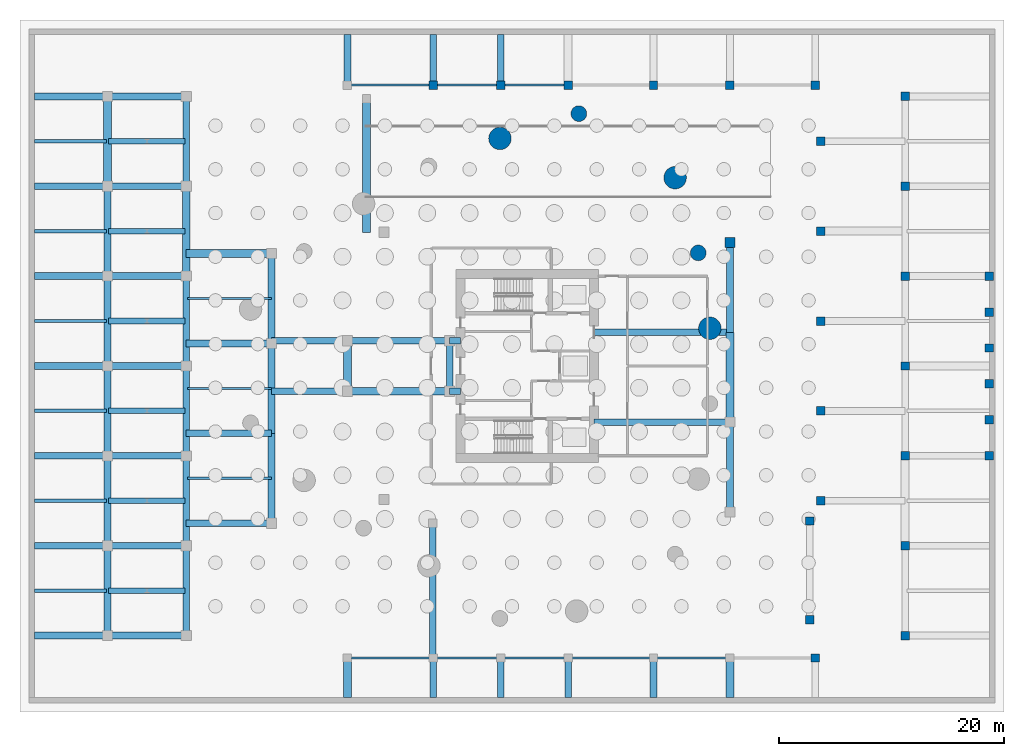
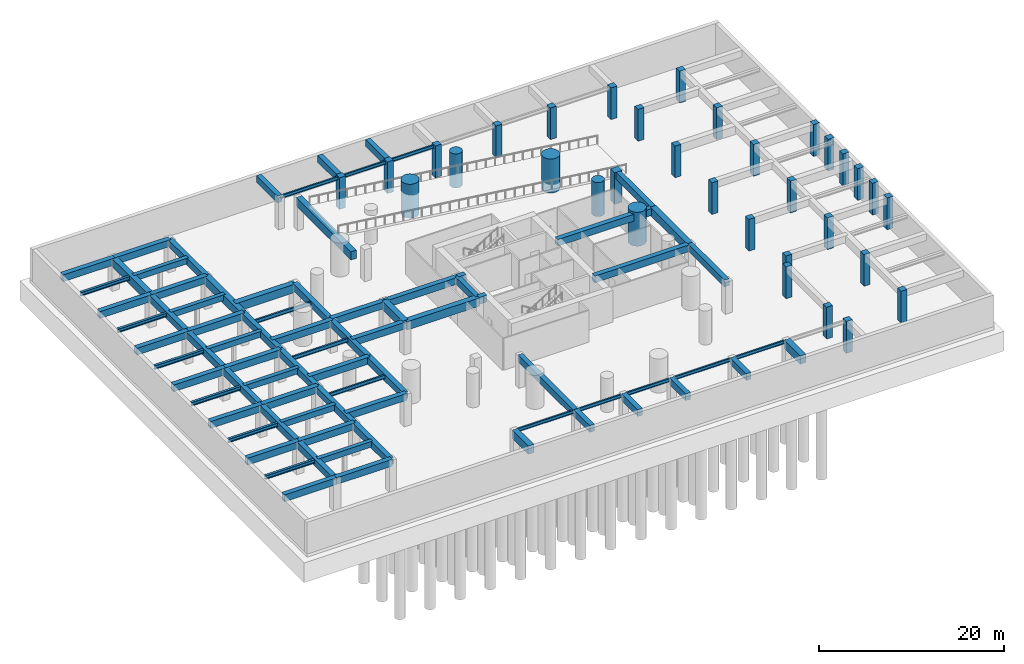
# One storey, part 5 of 11: 80 beams, 33 columns.
"""IFC4 building model written with IfcOpenShell, lengths in metres."""

from ifc_helpers import new_model, si_unit, direction, frame, origin, origin_2d, place, context, subcontext, project, spatial, rectangle, circle, i_section, extrude, source, transform, mapped, material, material_profile, profile_set, type_object, element, save


model = new_model("IFC4")

# Units and contexts
model_context = context("Model", 3, precision=1e-05, world=origin(), true_north=direction((0.0, 1.0)))
body_context = subcontext(model_context, "Body", "Model", "MODEL_VIEW")
ifc_project = project(units=[si_unit("LENGTHUNIT", "METRE"), si_unit("AREAUNIT", "SQUARE_METRE"), si_unit("VOLUMEUNIT", "CUBIC_METRE"), si_unit("PLANEANGLEUNIT", "RADIAN"), si_unit("MASSUNIT", "GRAM", prefix="KILO")], contexts=[model_context])

# Site, building, storey
site_placement = place(None, origin())
site = spatial("IfcSite", under=ifc_project, at=site_placement, CompositionType="ELEMENT")
building_placement = place(site_placement, origin())
building = spatial("IfcBuilding", under=site, at=building_placement, Name="Qafzar Sky-Pleat Residences", CompositionType="ELEMENT")
storey_placement = place(building_placement, frame((0.0, 0.0, -8.699951171875)))
storey = spatial("IfcBuildingStorey", under=building, at=storey_placement, Name="B02", CompositionType="ELEMENT", Elevation=-8.699951171875)

# Columns
ifc_material_1 = material(Name="Concrete C60/75", Category="concrete")
ifc_material_profile_1 = material_profile(ifc_material_1, circle(Radius=1.0, at=origin_2d()), Name="RC D2000")
ifc_profile_set_1 = profile_set([ifc_material_profile_1], Name="Concrete C60/75")
column_type_1 = type_object("IfcColumnType", Name="COL-STILT-D2000", PredefinedType="COLUMN", material=ifc_profile_set_1)
shared_shape_1 = source(origin(), body_context, "Body", "SweptSolid", [
    extrude(circle(Radius=1.0, at=origin_2d()), origin(), (0.0, 0.0, 1.0), 4.494873046875),
])
for number, where, z_axis, x_axis, name in (
    (1, (46.610107421875, 29.357421875, 0.0), (0.0, 0.0, 1.0), (1.0, 0.0, 0.0), "B02 Mega-Column STILT-06"),
    (2, (43.522216796875, 42.759765625, 0.0), (0.0, 0.0, 1.0), (1.0, 0.0, 0.0), "B02 Mega-Column STILT-07"),
    (3, (27.928466796875, 46.256103515625, 0.0), (0.0, 0.0, 1.0), (1.0, 0.0, 0.0), "B02 Mega-Column STILT-08"),
):
    element("IfcColumn", number, at=place(storey_placement, frame(where, z_axis=z_axis, x_axis=x_axis)), inside=storey, type_object=column_type_1, Name=name, PredefinedType="COLUMN", context=body_context, shape_type="MappedRepresentation", body=[
        mapped(shared_shape_1, transform((0.0, 0.0, 0.0), x_axis=(1.0, 0.0, 0.0), y_axis=(0.0, 1.0, 0.0), z_axis=(0.0, 0.0, 1.0), scale=1.0)),
    ])
ifc_material_profile_2 = material_profile(ifc_material_1, circle(Radius=0.699951171875, at=origin_2d()), Name="RC D1400")
ifc_profile_set_2 = profile_set([ifc_material_profile_2], Name="Concrete C60/75")
column_type_2 = type_object("IfcColumnType", Name="COL-MEGA-D1400", PredefinedType="COLUMN", material=ifc_profile_set_2)
shared_shape_2 = source(origin(), body_context, "Body", "SweptSolid", [
    extrude(circle(Radius=0.699951171875, at=origin_2d()), origin(), (0.0, 0.0, 1.0), 4.494873046875),
])
for number, where, z_axis, x_axis, name in (
    (4, (45.578125, 36.06591796875, 0.0), (0.0, 0.0, 1.0), (1.0, 0.0, 0.0), "B02 Branch Mega-Column STILT-BR-06"),
    (5, (34.951416015625, 48.462646484375, 0.0), (0.0, 0.0, 1.0), (1.0, 0.0, 0.0), "B02 Branch Mega-Column STILT-BR-07"),
):
    element("IfcColumn", number, at=place(storey_placement, frame(where, z_axis=z_axis, x_axis=x_axis)), inside=storey, type_object=column_type_2, Name=name, PredefinedType="COLUMN", context=body_context, shape_type="MappedRepresentation", body=[
        mapped(shared_shape_2, transform((0.0, 0.0, 0.0), x_axis=(1.0, 0.0, 0.0), y_axis=(0.0, 1.0, 0.0), z_axis=(0.0, 0.0, 1.0), scale=1.0)),
    ])
ifc_material_profile_3 = material_profile(ifc_material_1, rectangle(XDim=0.89990234375, YDim=0.89990234375, at=origin_2d()), Name="RC 900x900")
ifc_profile_set_3 = profile_set([ifc_material_profile_3], Name="Concrete C60/75")
column_type_3 = type_object("IfcColumnType", Name="COL-RC-900", PredefinedType="COLUMN", material=ifc_profile_set_3)
shared_shape_3 = source(origin(), body_context, "Body", "SweptSolid", [
    extrude(rectangle(XDim=0.89990234375, YDim=0.89990234375, at=origin_2d()), origin(), (0.0, 0.0, 1.0), 4.199951171875),
])
column_placement = place(storey_placement, frame((48.39990234375, 37.0, 0.0), z_axis=(0.0, 0.0, 1.0), x_axis=(1.0, 0.0, 0.0)))
element("IfcColumn", 6, at=column_placement, inside=storey, type_object=column_type_3, Name="B02 Substructure Column 20", PredefinedType="COLUMN", context=body_context, shape_type="MappedRepresentation", body=[
    mapped(shared_shape_3, transform((0.0, 0.0, 0.0), x_axis=(1.0, 0.0, 0.0), y_axis=(0.0, 1.0, 0.0), z_axis=(0.0, 0.0, 1.0), scale=1.0)),
])
ifc_material_profile_4 = material_profile(ifc_material_1, rectangle(XDim=0.75, YDim=0.75, at=origin_2d()), Name="RC 750x750")
ifc_profile_set_4 = profile_set([ifc_material_profile_4], Name="Concrete C60/75")
column_type_4 = type_object("IfcColumnType", Name="COL-RC-750", PredefinedType="COLUMN", material=ifc_profile_set_4)
shared_shape_4 = source(origin(), body_context, "Body", "SweptSolid", [
    extrude(rectangle(XDim=0.75, YDim=0.75, at=origin_2d()), origin(), (0.0, 0.0, 1.0), 4.199951171875),
])
for number, where, z_axis, x_axis, name in (
    (7, (56.0, 0.0, 0.0), (0.0, 0.0, 1.0), (1.0, 0.0, 0.0), "B02 Substructure Column 35"),
    (8, (22.0, 51.0, 0.0), (0.0, 0.0, 1.0), (1.0, 0.0, 0.0), "B02 Substructure Column 37"),
    (9, (28.0, 51.0, 0.0), (0.0, 0.0, 1.0), (1.0, 0.0, 0.0), "B02 Substructure Column 38"),
    (10, (34.0, 51.0, 0.0), (0.0, 0.0, 1.0), (1.0, 0.0, 0.0), "B02 Substructure Column 39"),
    (11, (41.60009765625, 51.0, 0.0), (0.0, 0.0, 1.0), (1.0, 0.0, 0.0), "B02 Substructure Column 40"),
    (12, (48.39990234375, 51.0, 0.0), (0.0, 0.0, 1.0), (1.0, 0.0, 0.0), "B02 Substructure Column 41"),
    (13, (56.0, 51.0, 0.0), (0.0, 0.0, 1.0), (1.0, 0.0, 0.0), "B02 Substructure Column 42"),
    (14, (55.5, 3.39990234375, 0.0), (0.0, 0.0, 1.0), (1.0, 0.0, 0.0), "B02 Substructure Column 43"),
    (15, (55.5, 12.199951171875, 0.0), (0.0, 0.0, 1.0), (1.0, 0.0, 0.0), "B02 Substructure Column 44"),
    (16, (56.5, 14.0, 0.0), (0.0, 0.0, 1.0), (1.0, 0.0, 0.0), "B02 Substructure Column 45"),
    (17, (56.5, 22.0, 0.0), (0.0, 0.0, 1.0), (1.0, 0.0, 0.0), "B02 Substructure Column 46"),
    (18, (56.5, 30.0, 0.0), (0.0, 0.0, 1.0), (1.0, 0.0, 0.0), "B02 Substructure Column 47"),
    (19, (56.5, 38.0, 0.0), (0.0, 0.0, 1.0), (1.0, 0.0, 0.0), "B02 Substructure Column 48"),
    (20, (56.5, 46.0, 0.0), (0.0, 0.0, 1.0), (1.0, 0.0, 0.0), "B02 Substructure Column 49"),
    (21, (64.0, 2.0, 0.0), (0.0, 0.0, 1.0), (1.0, 0.0, 0.0), "B02 Substructure Column 50"),
    (22, (64.0, 10.0, 0.0), (0.0, 0.0, 1.0), (1.0, 0.0, 0.0), "B02 Substructure Column 51"),
    (23, (64.0, 18.0, 0.0), (0.0, 0.0, 1.0), (1.0, 0.0, 0.0), "B02 Substructure Column 52"),
    (24, (64.0, 26.0, 0.0), (0.0, 0.0, 1.0), (1.0, 0.0, 0.0), "B02 Substructure Column 53"),
    (25, (64.0, 34.0, 0.0), (0.0, 0.0, 1.0), (1.0, 0.0, 0.0), "B02 Substructure Column 54"),
    (26, (64.0, 42.0, 0.0), (0.0, 0.0, 1.0), (1.0, 0.0, 0.0), "B02 Substructure Column 55"),
    (27, (64.0, 50.0, 0.0), (0.0, 0.0, 1.0), (1.0, 0.0, 0.0), "B02 Substructure Column 56"),
    (28, (71.5, 18.0, 0.0), (0.0, 0.0, 1.0), (1.0, 0.0, 0.0), "B02 Substructure Column 57"),
    (29, (71.5, 21.199951171875, 0.0), (0.0, 0.0, 1.0), (1.0, 0.0, 0.0), "B02 Substructure Column 58"),
    (30, (71.5, 24.39990234375, 0.0), (0.0, 0.0, 1.0), (1.0, 0.0, 0.0), "B02 Substructure Column 59"),
    (31, (71.5, 27.60009765625, 0.0), (0.0, 0.0, 1.0), (1.0, 0.0, 0.0), "B02 Substructure Column 60"),
    (32, (71.5, 30.800048828125, 0.0), (0.0, 0.0, 1.0), (1.0, 0.0, 0.0), "B02 Substructure Column 61"),
    (33, (71.5, 34.0, 0.0), (0.0, 0.0, 1.0), (1.0, 0.0, 0.0), "B02 Substructure Column 62"),
):
    element("IfcColumn", number, at=place(storey_placement, frame(where, z_axis=z_axis, x_axis=x_axis)), inside=storey, type_object=column_type_4, Name=name, PredefinedType="COLUMN", context=body_context, shape_type="MappedRepresentation", body=[
        mapped(shared_shape_4, transform((0.0, 0.0, 0.0), x_axis=(1.0, 0.0, 0.0), y_axis=(0.0, 1.0, 0.0), z_axis=(0.0, 0.0, 1.0), scale=1.0)),
    ])

# Beams
ifc_material_2 = material(Name="Concrete C50/60", Category="concrete")
ifc_material_profile_5 = material_profile(ifc_material_2, rectangle(XDim=0.60009765625, YDim=0.89990234375, at=origin_2d()), Name="RC 600x900")
ifc_profile_set_5 = profile_set([ifc_material_profile_5], Name="Concrete C50/60")
beam_type_1 = type_object("IfcBeamType", Name="BM-RC-600x900", PredefinedType="BEAM", material=ifc_profile_set_5)
shared_shape_5 = source(origin(), body_context, "Body", "SweptSolid", [
    extrude(rectangle(XDim=0.60009765625, YDim=0.89990234375, at=origin_2d()), origin(), (0.0, 0.0, 1.0), 6.5),
])
for number, where, z_axis, x_axis, name in (
    (34, (-13.5, 2.0, 3.75), (1.0, 0.0, 0.0), (0.0, 1.0, 0.0), "B02 Basement Girder 1"),
    (35, (-13.5, 10.0, 3.75), (1.0, 0.0, 0.0), (0.0, 1.0, 0.0), "B02 Basement Girder 2"),
    (36, (-13.5, 18.0, 3.75), (1.0, 0.0, 0.0), (0.0, 1.0, 0.0), "B02 Basement Girder 3"),
    (37, (-13.5, 26.0, 3.75), (1.0, 0.0, 0.0), (0.0, 1.0, 0.0), "B02 Basement Girder 4"),
    (38, (-13.5, 34.0, 3.75), (1.0, 0.0, 0.0), (0.0, 1.0, 0.0), "B02 Basement Girder 5"),
    (39, (-13.5, 42.0, 3.75), (1.0, 0.0, 0.0), (0.0, 1.0, 0.0), "B02 Basement Girder 6"),
    (40, (-13.5, 50.0, 3.75), (1.0, 0.0, 0.0), (0.0, 1.0, 0.0), "B02 Basement Girder 7"),
):
    element("IfcBeam", number, at=place(storey_placement, frame(where, z_axis=z_axis, x_axis=x_axis)), inside=storey, type_object=beam_type_1, Name=name, PredefinedType="BEAM", context=body_context, shape_type="MappedRepresentation", body=[
        mapped(shared_shape_5, transform((0.0, 0.0, 0.0), x_axis=(1.0, 0.0, 0.0), y_axis=(0.0, 1.0, 0.0), z_axis=(0.0, 0.0, 1.0), scale=1.0)),
    ])
shared_shape_6 = source(origin(), body_context, "Body", "SweptSolid", [
    extrude(rectangle(XDim=0.60009765625, YDim=0.89990234375, at=origin_2d()), origin(), (0.0, 0.0, 1.0), 7.0),
])
for number, where, z_axis, x_axis, name in (
    (41, (-7.0, 2.0, 3.75), (1.0, 0.0, 0.0), (0.0, 1.0, 0.0), "B02 Basement Girder 8"),
    (42, (-7.0, 10.0, 3.75), (1.0, 0.0, 0.0), (0.0, 1.0, 0.0), "B02 Basement Girder 9"),
    (43, (-7.0, 18.0, 3.75), (1.0, 0.0, 0.0), (0.0, 1.0, 0.0), "B02 Basement Girder 10"),
    (44, (-7.0, 26.0, 3.75), (1.0, 0.0, 0.0), (0.0, 1.0, 0.0), "B02 Basement Girder 11"),
    (45, (-7.0, 34.0, 3.75), (1.0, 0.0, 0.0), (0.0, 1.0, 0.0), "B02 Basement Girder 12"),
    (46, (-7.0, 42.0, 3.75), (1.0, 0.0, 0.0), (0.0, 1.0, 0.0), "B02 Basement Girder 13"),
    (47, (-7.0, 50.0, 3.75), (1.0, 0.0, 0.0), (0.0, 1.0, 0.0), "B02 Basement Girder 14"),
):
    element("IfcBeam", number, at=place(storey_placement, frame(where, z_axis=z_axis, x_axis=x_axis)), inside=storey, type_object=beam_type_1, Name=name, PredefinedType="BEAM", context=body_context, shape_type="MappedRepresentation", body=[
        mapped(shared_shape_6, transform((0.0, 0.0, 0.0), x_axis=(1.0, 0.0, 0.0), y_axis=(0.0, 1.0, 0.0), z_axis=(0.0, 0.0, 1.0), scale=1.0)),
    ])
shared_shape_7 = source(origin(), body_context, "Body", "SweptSolid", [
    extrude(rectangle(XDim=0.60009765625, YDim=0.89990234375, at=origin_2d()), origin(), (0.0, 0.0, 1.0), 8.0),
])
for number, where, z_axis, x_axis, name in (
    (48, (-7.0, 2.0, 3.75), (0.0, 1.0, 0.0), (-1.0, 0.0, 0.0), "B02 Basement Girder 15"),
    (49, (-7.0, 10.0, 3.75), (0.0, 1.0, 0.0), (-1.0, 0.0, 0.0), "B02 Basement Girder 16"),
    (50, (-7.0, 18.0, 3.75), (0.0, 1.0, 0.0), (-1.0, 0.0, 0.0), "B02 Basement Girder 17"),
    (51, (-7.0, 26.0, 3.75), (0.0, 1.0, 0.0), (-1.0, 0.0, 0.0), "B02 Basement Girder 18"),
    (52, (-7.0, 34.0, 3.75), (0.0, 1.0, 0.0), (-1.0, 0.0, 0.0), "B02 Basement Girder 19"),
    (53, (0.0, 2.0, 3.75), (0.0, 1.0, 0.0), (-1.0, 0.0, 0.0), "B02 Basement Girder 21"),
    (54, (0.0, 10.0, 3.75), (0.0, 1.0, 0.0), (-1.0, 0.0, 0.0), "B02 Basement Girder 22"),
    (55, (0.0, 18.0, 3.75), (0.0, 1.0, 0.0), (-1.0, 0.0, 0.0), "B02 Basement Girder 23"),
    (56, (0.0, 26.0, 3.75), (0.0, 1.0, 0.0), (-1.0, 0.0, 0.0), "B02 Basement Girder 24"),
    (57, (0.0, 42.0, 3.75), (0.0, 1.0, 0.0), (-1.0, 0.0, 0.0), "B02 Basement Girder 26"),
    (58, (7.60009765625, 12.0, 3.75), (0.0, 1.0, 0.0), (-1.0, 0.0, 0.0), "B02 Basement Girder 31"),
    (59, (7.60009765625, 20.0, 3.75), (0.0, 1.0, 0.0), (-1.0, 0.0, 0.0), "B02 Basement Girder 32"),
    (60, (7.60009765625, 28.0, 3.75), (0.0, 1.0, 0.0), (-1.0, 0.0, 0.0), "B02 Basement Girder 33"),
    (61, (48.39990234375, 13.0, 3.75), (0.0, 1.0, 0.0), (-1.0, 0.0, 0.0), "B02 Basement Girder 44"),
    (62, (48.39990234375, 29.0, 3.75), (0.0, 1.0, 0.0), (-1.0, 0.0, 0.0), "B02 Basement Girder 46"),
):
    element("IfcBeam", number, at=place(storey_placement, frame(where, z_axis=z_axis, x_axis=x_axis)), inside=storey, type_object=beam_type_1, Name=name, PredefinedType="BEAM", context=body_context, shape_type="MappedRepresentation", body=[
        mapped(shared_shape_7, transform((0.0, 0.0, 0.0), x_axis=(1.0, 0.0, 0.0), y_axis=(0.0, 1.0, 0.0), z_axis=(0.0, 0.0, 1.0), scale=1.0)),
    ])
ifc_material_profile_6 = material_profile(ifc_material_2, rectangle(XDim=0.699951171875, YDim=1.10009765625, at=origin_2d()), Name="RC 700x1100")
ifc_profile_set_6 = profile_set([ifc_material_profile_6], Name="Concrete C50/60")
beam_type_2 = type_object("IfcBeamType", Name="BM-RC-700x1100", PredefinedType="BEAM", material=ifc_profile_set_6)
shared_shape_8 = source(origin(), body_context, "Body", "SweptSolid", [
    extrude(rectangle(XDim=0.699951171875, YDim=1.10009765625, at=origin_2d()), origin(), (0.0, 0.0, 1.0), 8.0),
])
for number, where, z_axis, x_axis, name in (
    (63, (-7.0, 42.0, 3.64990234375), (0.0, 1.0, 0.0), (-1.0, 0.0, 0.0), "B02 Basement Girder 20"),
    (64, (0.0, 34.0, 3.64990234375), (0.0, 1.0, 0.0), (-1.0, 0.0, 0.0), "B02 Basement Girder 25"),
    (65, (48.39990234375, 21.0, 3.64990234375), (0.0, 1.0, 0.0), (-1.0, 0.0, 0.0), "B02 Basement Girder 45"),
):
    element("IfcBeam", number, at=place(storey_placement, frame(where, z_axis=z_axis, x_axis=x_axis)), inside=storey, type_object=beam_type_2, Name=name, PredefinedType="BEAM", context=body_context, shape_type="MappedRepresentation", body=[
        mapped(shared_shape_8, transform((0.0, 0.0, 0.0), x_axis=(1.0, 0.0, 0.0), y_axis=(0.0, 1.0, 0.0), z_axis=(0.0, 0.0, 1.0), scale=1.0)),
    ])
shared_shape_9 = source(origin(), body_context, "Body", "SweptSolid", [
    extrude(rectangle(XDim=0.60009765625, YDim=0.89990234375, at=origin_2d()), origin(), (0.0, 0.0, 1.0), 7.60009765625),
])
for number, where, z_axis, x_axis, name in (
    (66, (0.0, 12.0, 3.75), (1.0, 0.0, 0.0), (0.0, 1.0, 0.0), "B02 Basement Girder 27"),
    (67, (0.0, 20.0, 3.75), (1.0, 0.0, 0.0), (0.0, 1.0, 0.0), "B02 Basement Girder 28"),
    (68, (0.0, 28.0, 3.75), (1.0, 0.0, 0.0), (0.0, 1.0, 0.0), "B02 Basement Girder 29"),
):
    element("IfcBeam", number, at=place(storey_placement, frame(where, z_axis=z_axis, x_axis=x_axis)), inside=storey, type_object=beam_type_1, Name=name, PredefinedType="BEAM", context=body_context, shape_type="MappedRepresentation", body=[
        mapped(shared_shape_9, transform((0.0, 0.0, 0.0), x_axis=(1.0, 0.0, 0.0), y_axis=(0.0, 1.0, 0.0), z_axis=(0.0, 0.0, 1.0), scale=1.0)),
    ])
shared_shape_10 = source(origin(), body_context, "Body", "SweptSolid", [
    extrude(rectangle(XDim=0.699951171875, YDim=1.10009765625, at=origin_2d()), origin(), (0.0, 0.0, 1.0), 7.60009765625),
])
beam_1_placement = place(storey_placement, frame((0.0, 36.0, 3.64990234375), z_axis=(1.0, 0.0, 0.0), x_axis=(0.0, 1.0, 0.0)))
element("IfcBeam", 69, at=beam_1_placement, inside=storey, type_object=beam_type_2, Name="B02 Basement Girder 30", PredefinedType="BEAM", context=body_context, shape_type="MappedRepresentation", body=[
    mapped(shared_shape_10, transform((0.0, 0.0, 0.0), x_axis=(1.0, 0.0, 0.0), y_axis=(0.0, 1.0, 0.0), z_axis=(0.0, 0.0, 1.0), scale=1.0)),
])
shared_shape_11 = source(origin(), body_context, "Body", "SweptSolid", [
    extrude(rectangle(XDim=0.60009765625, YDim=0.89990234375, at=origin_2d()), origin(), (0.0, 0.0, 1.0), 6.75),
])
for number, where, z_axis, x_axis, name in (
    (70, (7.60009765625, 23.75, 3.75), (1.0, 0.0, 0.0), (0.0, 1.0, 0.0), "B02 Basement Girder 34"),
    (71, (7.60009765625, 28.25, 3.75), (1.0, 0.0, 0.0), (0.0, 1.0, 0.0), "B02 Basement Girder 37"),
):
    element("IfcBeam", number, at=place(storey_placement, frame(where, z_axis=z_axis, x_axis=x_axis)), inside=storey, type_object=beam_type_1, Name=name, PredefinedType="BEAM", context=body_context, shape_type="MappedRepresentation", body=[
        mapped(shared_shape_11, transform((0.0, 0.0, 0.0), x_axis=(1.0, 0.0, 0.0), y_axis=(0.0, 1.0, 0.0), z_axis=(0.0, 0.0, 1.0), scale=1.0)),
    ])
shared_shape_12 = source(origin(), body_context, "Body", "SweptSolid", [
    extrude(rectangle(XDim=0.699951171875, YDim=1.10009765625, at=origin_2d()), origin(), (0.0, 0.0, 1.0), 9.099853515625),
])
beam_2_placement = place(storey_placement, frame((14.35009765625, 23.75, 3.64990234375), z_axis=(1.0, 0.0, 0.0), x_axis=(0.0, 1.0, 0.0)))
element("IfcBeam", 72, at=beam_2_placement, inside=storey, type_object=beam_type_2, Name="B02 Basement Girder 35", PredefinedType="BEAM", context=body_context, shape_type="MappedRepresentation", body=[
    mapped(shared_shape_12, transform((0.0, 0.0, 0.0), x_axis=(1.0, 0.0, 0.0), y_axis=(0.0, 1.0, 0.0), z_axis=(0.0, 0.0, 1.0), scale=1.0)),
])
shared_shape_13 = source(origin(), body_context, "Body", "SweptSolid", [
    extrude(rectangle(XDim=0.60009765625, YDim=0.89990234375, at=origin_2d()), origin(), (0.0, 0.0, 1.0), 0.949951171875),
])
for number, where, z_axis, x_axis, name in (
    (73, (23.449951171875, 23.75, 3.75), (1.0, 0.0, 0.0), (0.0, 1.0, 0.0), "B02 Basement Girder 36"),
    (74, (23.449951171875, 28.25, 3.75), (1.0, 0.0, 0.0), (0.0, 1.0, 0.0), "B02 Basement Girder 39"),
):
    element("IfcBeam", number, at=place(storey_placement, frame(where, z_axis=z_axis, x_axis=x_axis)), inside=storey, type_object=beam_type_1, Name=name, PredefinedType="BEAM", context=body_context, shape_type="MappedRepresentation", body=[
        mapped(shared_shape_13, transform((0.0, 0.0, 0.0), x_axis=(1.0, 0.0, 0.0), y_axis=(0.0, 1.0, 0.0), z_axis=(0.0, 0.0, 1.0), scale=1.0)),
    ])
shared_shape_14 = source(origin(), body_context, "Body", "SweptSolid", [
    extrude(rectangle(XDim=0.60009765625, YDim=0.89990234375, at=origin_2d()), origin(), (0.0, 0.0, 1.0), 9.099853515625),
])
beam_3_placement = place(storey_placement, frame((14.35009765625, 28.25, 3.75), z_axis=(1.0, 0.0, 0.0), x_axis=(0.0, 1.0, 0.0)))
element("IfcBeam", 75, at=beam_3_placement, inside=storey, type_object=beam_type_1, Name="B02 Basement Girder 38", PredefinedType="BEAM", context=body_context, shape_type="MappedRepresentation", body=[
    mapped(shared_shape_14, transform((0.0, 0.0, 0.0), x_axis=(1.0, 0.0, 0.0), y_axis=(0.0, 1.0, 0.0), z_axis=(0.0, 0.0, 1.0), scale=1.0)),
])
shared_shape_15 = source(origin(), body_context, "Body", "SweptSolid", [
    extrude(rectangle(XDim=0.699951171875, YDim=1.10009765625, at=origin_2d()), origin(), (0.0, 0.0, 1.0), 4.5),
])
beam_4_placement = place(storey_placement, frame((14.35009765625, 23.75, 3.64990234375), z_axis=(0.0, 1.0, 0.0), x_axis=(-1.0, 0.0, 0.0)))
element("IfcBeam", 76, at=beam_4_placement, inside=storey, type_object=beam_type_2, Name="B02 Basement Girder 40", PredefinedType="BEAM", context=body_context, shape_type="MappedRepresentation", body=[
    mapped(shared_shape_15, transform((0.0, 0.0, 0.0), x_axis=(1.0, 0.0, 0.0), y_axis=(0.0, 1.0, 0.0), z_axis=(0.0, 0.0, 1.0), scale=1.0)),
])
shared_shape_16 = source(origin(), body_context, "Body", "SweptSolid", [
    extrude(rectangle(XDim=0.60009765625, YDim=0.89990234375, at=origin_2d()), origin(), (0.0, 0.0, 1.0), 4.5),
])
for number, where, z_axis, x_axis, name in (
    (77, (23.449951171875, 23.75, 3.75), (0.0, 1.0, 0.0), (-1.0, 0.0, 0.0), "B02 Basement Girder 41"),
    (78, (14.35009765625, 51.0, 3.75), (0.0, 1.0, 0.0), (-1.0, 0.0, 0.0), "B02 Basement Girder 72"),
    (79, (22.0, 51.0, 3.75), (0.0, 1.0, 0.0), (-1.0, 0.0, 0.0), "B02 Basement Girder 73"),
    (80, (28.0, 51.0, 3.75), (0.0, 1.0, 0.0), (-1.0, 0.0, 0.0), "B02 Basement Girder 74"),
):
    element("IfcBeam", number, at=place(storey_placement, frame(where, z_axis=z_axis, x_axis=x_axis)), inside=storey, type_object=beam_type_1, Name=name, PredefinedType="BEAM", context=body_context, shape_type="MappedRepresentation", body=[
        mapped(shared_shape_16, transform((0.0, 0.0, 0.0), x_axis=(1.0, 0.0, 0.0), y_axis=(0.0, 1.0, 0.0), z_axis=(0.0, 0.0, 1.0), scale=1.0)),
    ])
shared_shape_17 = source(origin(), body_context, "Body", "SweptSolid", [
    extrude(rectangle(XDim=0.60009765625, YDim=0.89990234375, at=origin_2d()), origin(), (0.0, 0.0, 1.0), 12.099853515625),
])
for number, where, z_axis, x_axis, name in (
    (81, (36.300048828125, 21.0, 3.75), (1.0, 0.0, 0.0), (0.0, 1.0, 0.0), "B02 Basement Girder 42"),
    (82, (36.300048828125, 29.0, 3.75), (1.0, 0.0, 0.0), (0.0, 1.0, 0.0), "B02 Basement Girder 43"),
):
    element("IfcBeam", number, at=place(storey_placement, frame(where, z_axis=z_axis, x_axis=x_axis)), inside=storey, type_object=beam_type_1, Name=name, PredefinedType="BEAM", context=body_context, shape_type="MappedRepresentation", body=[
        mapped(shared_shape_17, transform((0.0, 0.0, 0.0), x_axis=(1.0, 0.0, 0.0), y_axis=(0.0, 1.0, 0.0), z_axis=(0.0, 0.0, 1.0), scale=1.0)),
    ])
shared_shape_18 = source(origin(), body_context, "Body", "SweptSolid", [
    extrude(rectangle(XDim=0.699951171875, YDim=1.10009765625, at=origin_2d()), origin(), (0.0, 0.0, 1.0), 3.5),
])
for number, where, z_axis, x_axis, name in (
    (83, (14.35009765625, -3.5, 3.64990234375), (0.0, 1.0, 0.0), (-1.0, 0.0, 0.0), "B02 Basement Girder 65"),
    (84, (48.39990234375, -3.5, 3.64990234375), (0.0, 1.0, 0.0), (-1.0, 0.0, 0.0), "B02 Basement Girder 70"),
):
    element("IfcBeam", number, at=place(storey_placement, frame(where, z_axis=z_axis, x_axis=x_axis)), inside=storey, type_object=beam_type_2, Name=name, PredefinedType="BEAM", context=body_context, shape_type="MappedRepresentation", body=[
        mapped(shared_shape_18, transform((0.0, 0.0, 0.0), x_axis=(1.0, 0.0, 0.0), y_axis=(0.0, 1.0, 0.0), z_axis=(0.0, 0.0, 1.0), scale=1.0)),
    ])
shared_shape_19 = source(origin(), body_context, "Body", "SweptSolid", [
    extrude(rectangle(XDim=0.60009765625, YDim=0.89990234375, at=origin_2d()), origin(), (0.0, 0.0, 1.0), 3.5),
])
for number, where, z_axis, x_axis, name in (
    (85, (22.0, -3.5, 3.75), (0.0, 1.0, 0.0), (-1.0, 0.0, 0.0), "B02 Basement Girder 66"),
    (86, (28.0, -3.5, 3.75), (0.0, 1.0, 0.0), (-1.0, 0.0, 0.0), "B02 Basement Girder 67"),
    (87, (34.0, -3.5, 3.75), (0.0, 1.0, 0.0), (-1.0, 0.0, 0.0), "B02 Basement Girder 68"),
    (88, (41.60009765625, -3.5, 3.75), (0.0, 1.0, 0.0), (-1.0, 0.0, 0.0), "B02 Basement Girder 69"),
):
    element("IfcBeam", number, at=place(storey_placement, frame(where, z_axis=z_axis, x_axis=x_axis)), inside=storey, type_object=beam_type_1, Name=name, PredefinedType="BEAM", context=body_context, shape_type="MappedRepresentation", body=[
        mapped(shared_shape_19, transform((0.0, 0.0, 0.0), x_axis=(1.0, 0.0, 0.0), y_axis=(0.0, 1.0, 0.0), z_axis=(0.0, 0.0, 1.0), scale=1.0)),
    ])
shared_shape_20 = source(origin(), body_context, "Body", "SweptSolid", [
    extrude(rectangle(XDim=0.60009765625, YDim=0.89990234375, at=origin_2d()), origin(), (0.0, 0.0, 1.0), 12.0),
])
beam_5_placement = place(storey_placement, frame((21.949951171875, 0.0, 3.75), z_axis=(0.0, 1.0, 0.0), x_axis=(-1.0, 0.0, 0.0)))
element("IfcBeam", 89, at=beam_5_placement, inside=storey, type_object=beam_type_1, Name="B02 Basement Girder 79", PredefinedType="BEAM", context=body_context, shape_type="MappedRepresentation", body=[
    mapped(shared_shape_20, transform((0.0, 0.0, 0.0), x_axis=(1.0, 0.0, 0.0), y_axis=(0.0, 1.0, 0.0), z_axis=(0.0, 0.0, 1.0), scale=1.0)),
])
shared_shape_21 = source(origin(), body_context, "Body", "SweptSolid", [
    extrude(rectangle(XDim=0.699951171875, YDim=1.10009765625, at=origin_2d()), origin(), (0.0, 0.0, 1.0), 11.900146484375),
])
beam_6_placement = place(storey_placement, frame((16.050048828125, 37.89990234375, 3.64990234375), z_axis=(0.0, 1.0, 0.0), x_axis=(-1.0, 0.0, 0.0)))
element("IfcBeam", 90, at=beam_6_placement, inside=storey, type_object=beam_type_2, Name="B02 Basement Girder 80", PredefinedType="BEAM", context=body_context, shape_type="MappedRepresentation", body=[
    mapped(shared_shape_21, transform((0.0, 0.0, 0.0), x_axis=(1.0, 0.0, 0.0), y_axis=(0.0, 1.0, 0.0), z_axis=(0.0, 0.0, 1.0), scale=1.0)),
])
ifc_material_profile_7 = material_profile(ifc_material_2, rectangle(XDim=0.5, YDim=0.75, at=origin_2d()), Name="RC 500x750")
ifc_profile_set_7 = profile_set([ifc_material_profile_7], Name="Concrete C50/60")
beam_type_3 = type_object("IfcBeamType", Name="BM-RC-500x750", PredefinedType="BEAM", material=ifc_profile_set_7)
shared_shape_22 = source(origin(), body_context, "Body", "SweptSolid", [
    extrude(rectangle(XDim=0.5, YDim=0.75, at=origin_2d()), origin(), (0.0, 0.0, 1.0), 6.81982421875),
])
for number, where, z_axis, x_axis, name in (
    (91, (-6.909912109375, 6.0, 3.824951171875), (1.0, 0.0, 0.0), (0.0, 1.0, 0.0), "B02 Basement Secondary Concrete Beam 1"),
    (92, (-6.909912109375, 14.0, 3.824951171875), (1.0, 0.0, 0.0), (0.0, 1.0, 0.0), "B02 Basement Secondary Concrete Beam 2"),
    (93, (-6.909912109375, 22.0, 3.824951171875), (1.0, 0.0, 0.0), (0.0, 1.0, 0.0), "B02 Basement Secondary Concrete Beam 3"),
    (94, (-6.909912109375, 30.0, 3.824951171875), (1.0, 0.0, 0.0), (0.0, 1.0, 0.0), "B02 Basement Secondary Concrete Beam 4"),
    (95, (-6.909912109375, 38.0, 3.824951171875), (1.0, 0.0, 0.0), (0.0, 1.0, 0.0), "B02 Basement Secondary Concrete Beam 5"),
    (96, (-6.909912109375, 46.0, 3.824951171875), (1.0, 0.0, 0.0), (0.0, 1.0, 0.0), "B02 Basement Secondary Concrete Beam 6"),
):
    element("IfcBeam", number, at=place(storey_placement, frame(where, z_axis=z_axis, x_axis=x_axis)), inside=storey, type_object=beam_type_3, Name=name, PredefinedType="BEAM", context=body_context, shape_type="MappedRepresentation", body=[
        mapped(shared_shape_22, transform((0.0, 0.0, 0.0), x_axis=(1.0, 0.0, 0.0), y_axis=(0.0, 1.0, 0.0), z_axis=(0.0, 0.0, 1.0), scale=1.0)),
    ])
ifc_material_3 = material(Name="Steel S355", Category="steel")
ifc_material_profile_8 = material_profile(ifc_material_3, i_section(OverallWidth=0.300048828125, OverallDepth=0.489990234375, WebThickness=0.011962890625, FlangeThickness=0.02294921875, FilletRadius=0.027099609375, at=origin_2d()), Name="HEA 500")
ifc_profile_set_8 = profile_set([ifc_material_profile_8], Name="Steel S355")
beam_type_4 = type_object("IfcBeamType", Name="BM-BASE-HEA500", PredefinedType="BEAM", material=ifc_profile_set_8)
shared_shape_23 = source(origin(), body_context, "Body", "SweptSolid", [
    extrude(i_section(OverallWidth=0.300048828125, OverallDepth=0.489990234375, WebThickness=0.011962890625, FlangeThickness=0.02294921875, FilletRadius=0.027099609375, at=origin_2d()), origin(), (0.0, 0.0, 1.0), 6.409912109375),
])
for number, where, z_axis, x_axis, name in (
    (97, (-13.5, 6.0, 3.952880859375), (1.0, 0.0, 0.0), (0.0, 1.0, 0.0), "B02 Basement Secondary Steel Beam 1"),
    (98, (-13.5, 14.0, 3.952880859375), (1.0, 0.0, 0.0), (0.0, 1.0, 0.0), "B02 Basement Secondary Steel Beam 2"),
    (99, (-13.5, 22.0, 3.952880859375), (1.0, 0.0, 0.0), (0.0, 1.0, 0.0), "B02 Basement Secondary Steel Beam 3"),
    (100, (-13.5, 30.0, 3.952880859375), (1.0, 0.0, 0.0), (0.0, 1.0, 0.0), "B02 Basement Secondary Steel Beam 4"),
    (101, (-13.5, 38.0, 3.952880859375), (1.0, 0.0, 0.0), (0.0, 1.0, 0.0), "B02 Basement Secondary Steel Beam 5"),
    (102, (-13.5, 46.0, 3.952880859375), (1.0, 0.0, 0.0), (0.0, 1.0, 0.0), "B02 Basement Secondary Steel Beam 6"),
):
    element("IfcBeam", number, at=place(storey_placement, frame(where, z_axis=z_axis, x_axis=x_axis)), inside=storey, type_object=beam_type_4, Name=name, PredefinedType="BEAM", context=body_context, shape_type="MappedRepresentation", body=[
        mapped(shared_shape_23, transform((0.0, 0.0, 0.0), x_axis=(1.0, 0.0, 0.0), y_axis=(0.0, 1.0, 0.0), z_axis=(0.0, 0.0, 1.0), scale=1.0)),
    ])
ifc_material_profile_9 = material_profile(ifc_material_3, i_section(OverallWidth=0.199951171875, OverallDepth=0.5, WebThickness=0.01025390625, FlangeThickness=0.01611328125, FilletRadius=0.02099609375, at=origin_2d()), Name="IPE 500")
ifc_profile_set_9 = profile_set([ifc_material_profile_9], Name="Steel S355")
beam_type_5 = type_object("IfcBeamType", Name="BM-SEC-IPE500", PredefinedType="BEAM", material=ifc_profile_set_9)
shared_shape_24 = source(origin(), body_context, "Body", "SweptSolid", [
    extrude(i_section(OverallWidth=0.199951171875, OverallDepth=0.5, WebThickness=0.01025390625, FlangeThickness=0.01611328125, FilletRadius=0.02099609375, at=origin_2d()), origin(), (0.0, 0.0, 1.0), 7.510009765625),
])
for number, where, z_axis, x_axis, name in (
    (103, (0.090087890625, 16.0, 3.947998046875), (1.0, 0.0, 0.0), (0.0, 1.0, 0.0), "B02 Basement Secondary Steel Beam 7"),
    (104, (0.090087890625, 24.0, 3.947998046875), (1.0, 0.0, 0.0), (0.0, 1.0, 0.0), "B02 Basement Secondary Steel Beam 8"),
    (105, (0.090087890625, 32.0, 3.947998046875), (1.0, 0.0, 0.0), (0.0, 1.0, 0.0), "B02 Basement Secondary Steel Beam 9"),
):
    element("IfcBeam", number, at=place(storey_placement, frame(where, z_axis=z_axis, x_axis=x_axis)), inside=storey, type_object=beam_type_5, Name=name, PredefinedType="BEAM", context=body_context, shape_type="MappedRepresentation", body=[
        mapped(shared_shape_24, transform((0.0, 0.0, 0.0), x_axis=(1.0, 0.0, 0.0), y_axis=(0.0, 1.0, 0.0), z_axis=(0.0, 0.0, 1.0), scale=1.0)),
    ])
ifc_material_profile_10 = material_profile(ifc_material_3, i_section(OverallWidth=0.18994140625, OverallDepth=0.449951171875, WebThickness=0.009521484375, FlangeThickness=0.0146484375, FilletRadius=0.02099609375, at=origin_2d()), Name="IPE 450")
ifc_profile_set_10 = profile_set([ifc_material_profile_10], Name="Steel S355")
beam_type_6 = type_object("IfcBeamType", Name="BM-SEC-IPE450", PredefinedType="BEAM", material=ifc_profile_set_10)
shared_shape_25 = source(origin(), body_context, "Body", "SweptSolid", [
    extrude(i_section(OverallWidth=0.18994140625, OverallDepth=0.449951171875, WebThickness=0.009521484375, FlangeThickness=0.0146484375, FilletRadius=0.02099609375, at=origin_2d()), origin(), (0.0, 0.0, 1.0), 7.469970703125),
])
for number, where, z_axis, x_axis, name in (
    (106, (14.43994140625, 0.0, 3.972900390625), (1.0, 0.0, 0.0), (0.0, 1.0, 0.0), "B02 Basement Secondary Steel Beam 16"),
    (107, (14.43994140625, 51.0, 3.972900390625), (1.0, 0.0, 0.0), (0.0, 1.0, 0.0), "B02 Basement Secondary Steel Beam 22"),
):
    element("IfcBeam", number, at=place(storey_placement, frame(where, z_axis=z_axis, x_axis=x_axis)), inside=storey, type_object=beam_type_6, Name=name, PredefinedType="BEAM", context=body_context, shape_type="MappedRepresentation", body=[
        mapped(shared_shape_25, transform((0.0, 0.0, 0.0), x_axis=(1.0, 0.0, 0.0), y_axis=(0.0, 1.0, 0.0), z_axis=(0.0, 0.0, 1.0), scale=1.0)),
    ])
shared_shape_26 = source(origin(), body_context, "Body", "SweptSolid", [
    extrude(i_section(OverallWidth=0.18994140625, OverallDepth=0.449951171875, WebThickness=0.009521484375, FlangeThickness=0.0146484375, FilletRadius=0.02099609375, at=origin_2d()), origin(), (0.0, 0.0, 1.0), 5.81982421875),
])
for number, where, z_axis, x_axis, name in (
    (108, (22.090087890625, 0.0, 3.972900390625), (1.0, 0.0, 0.0), (0.0, 1.0, 0.0), "B02 Basement Secondary Steel Beam 17"),
    (109, (28.090087890625, 0.0, 3.972900390625), (1.0, 0.0, 0.0), (0.0, 1.0, 0.0), "B02 Basement Secondary Steel Beam 18"),
    (110, (22.090087890625, 51.0, 3.972900390625), (1.0, 0.0, 0.0), (0.0, 1.0, 0.0), "B02 Basement Secondary Steel Beam 23"),
    (111, (28.090087890625, 51.0, 3.972900390625), (1.0, 0.0, 0.0), (0.0, 1.0, 0.0), "B02 Basement Secondary Steel Beam 24"),
):
    element("IfcBeam", number, at=place(storey_placement, frame(where, z_axis=z_axis, x_axis=x_axis)), inside=storey, type_object=beam_type_6, Name=name, PredefinedType="BEAM", context=body_context, shape_type="MappedRepresentation", body=[
        mapped(shared_shape_26, transform((0.0, 0.0, 0.0), x_axis=(1.0, 0.0, 0.0), y_axis=(0.0, 1.0, 0.0), z_axis=(0.0, 0.0, 1.0), scale=1.0)),
    ])
shared_shape_27 = source(origin(), body_context, "Body", "SweptSolid", [
    extrude(i_section(OverallWidth=0.18994140625, OverallDepth=0.449951171875, WebThickness=0.009521484375, FlangeThickness=0.0146484375, FilletRadius=0.02099609375, at=origin_2d()), origin(), (0.0, 0.0, 1.0), 7.419921875),
])
beam_7_placement = place(storey_placement, frame((34.090087890625, 0.0, 3.972900390625), z_axis=(1.0, 0.0, 0.0), x_axis=(0.0, 1.0, 0.0)))
element("IfcBeam", 112, at=beam_7_placement, inside=storey, type_object=beam_type_6, Name="B02 Basement Secondary Steel Beam 19", PredefinedType="BEAM", context=body_context, shape_type="MappedRepresentation", body=[
    mapped(shared_shape_27, transform((0.0, 0.0, 0.0), x_axis=(1.0, 0.0, 0.0), y_axis=(0.0, 1.0, 0.0), z_axis=(0.0, 0.0, 1.0), scale=1.0)),
])
shared_shape_28 = source(origin(), body_context, "Body", "SweptSolid", [
    extrude(i_section(OverallWidth=0.18994140625, OverallDepth=0.449951171875, WebThickness=0.009521484375, FlangeThickness=0.0146484375, FilletRadius=0.02099609375, at=origin_2d()), origin(), (0.0, 0.0, 1.0), 6.6201171875),
])
beam_8_placement = place(storey_placement, frame((41.68994140625, 0.0, 3.972900390625), z_axis=(1.0, 0.0, 0.0), x_axis=(0.0, 1.0, 0.0)))
element("IfcBeam", 113, at=beam_8_placement, inside=storey, type_object=beam_type_6, Name="B02 Basement Secondary Steel Beam 20", PredefinedType="BEAM", context=body_context, shape_type="MappedRepresentation", body=[
    mapped(shared_shape_28, transform((0.0, 0.0, 0.0), x_axis=(1.0, 0.0, 0.0), y_axis=(0.0, 1.0, 0.0), z_axis=(0.0, 0.0, 1.0), scale=1.0)),
])

save(model, "model.ifc")
